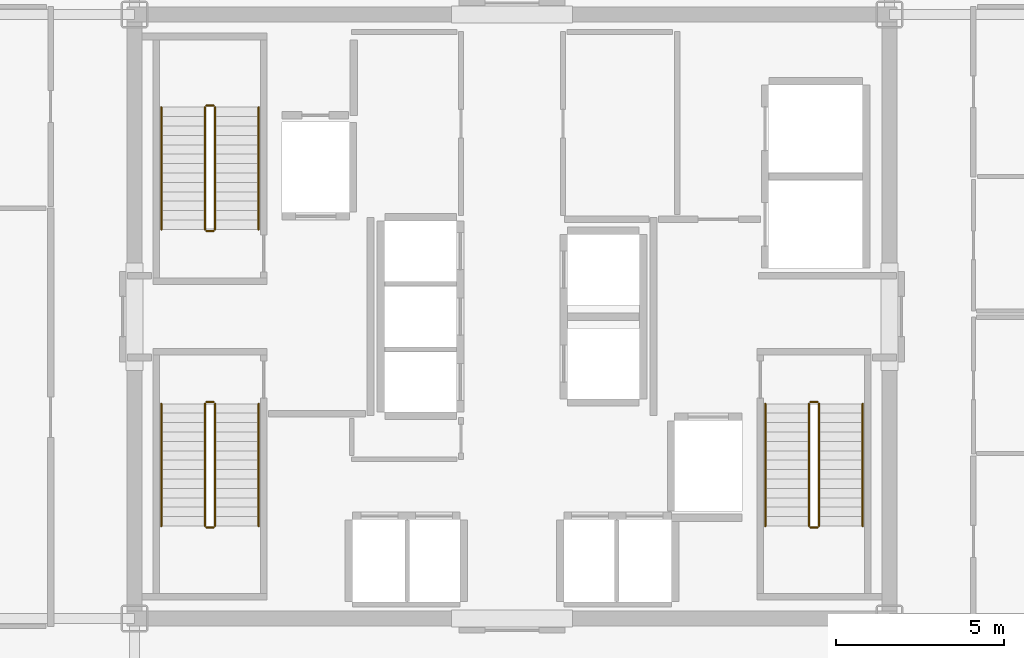
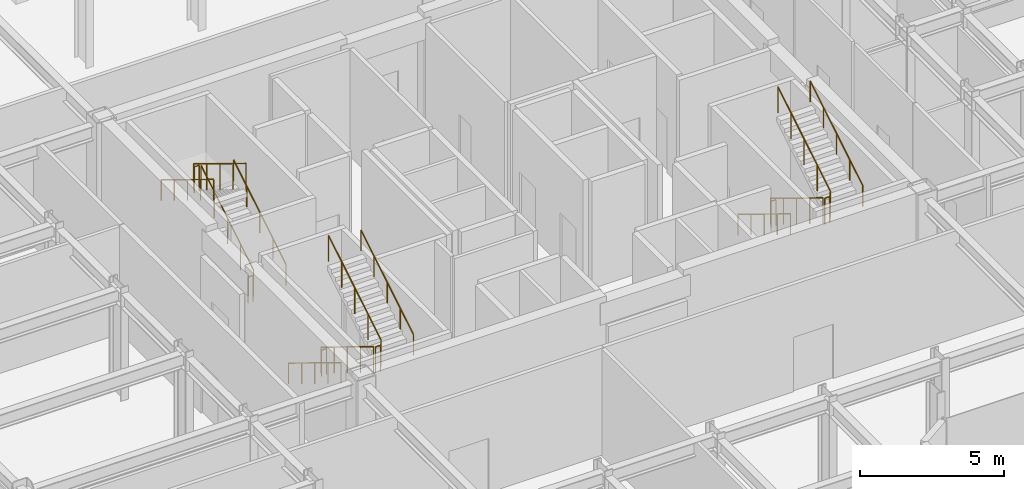
# One storey, part 19 of 20: 18 railings.
"""IFC4 building model written with IfcOpenShell, lengths in metres."""

from ifc_helpers import new_model, si_unit, direction, frame, origin, origin_2d, place, context, subcontext, project, spatial, circle, extrude, material, type_object, element, save


model = new_model("IFC4")

# Units and contexts
model_context = context("Model", 3, precision=1e-05, world=origin(), true_north=direction((0.0, 1.0)))
body_context = subcontext(model_context, "Body", "Model", "MODEL_VIEW")
ifc_project = project(units=[si_unit("LENGTHUNIT", "METRE"), si_unit("AREAUNIT", "SQUARE_METRE"), si_unit("VOLUMEUNIT", "CUBIC_METRE"), si_unit("PLANEANGLEUNIT", "RADIAN"), si_unit("MASSUNIT", "GRAM", prefix="KILO")], contexts=[model_context])

# Site, building, storey
site_placement = place(None, origin())
site = spatial("IfcSite", under=ifc_project, at=site_placement, CompositionType="ELEMENT")
building_placement = place(site_placement, origin())
building = spatial("IfcBuilding", under=site, at=building_placement, Name="Nefas-Gora Pilgrimage Tower", CompositionType="ELEMENT")
storey_placement = place(building_placement, frame((0.0, 0.0, 259.800048828125)))
storey = spatial("IfcBuildingStorey", under=building, at=storey_placement, Name="L65", CompositionType="ELEMENT", Elevation=259.800048828125)

# Railings
ifc_material_1 = material(Name="Painted galvanised steel", Category="steel")
railing_type_1 = type_object("IfcRailingType", Name="RLG-STR-GUARD-1100", PredefinedType="GUARDRAIL", material=ifc_material_1)
railing_1_placement = place(storey_placement, frame((-8.85009765625, 2.60009765625, 0.17138671875)))
element("IfcRailing", 1, at=railing_1_placement, inside=storey, type_object=railing_type_1, Name="L65 ST-01 stair guard 1", PredefinedType="GUARDRAIL", context=body_context, shape_type="SweptSolid", body=[
    extrude(circle(Radius=0.02392578125, at=origin_2d()), frame((0.0, 0.0, 1.09619140625), z_axis=(0.0, 0.852850264322, 0.5221555579), x_axis=(-1.0, 0.0, 0.0)), (0.0, 0.0, 1.0), 4.267822265625),
    extrude(circle(Radius=0.02099609375, at=origin_2d()), origin(), (0.0, 0.0, 1.0), 1.072021484375),
    extrude(circle(Radius=0.02099609375, at=origin_2d()), frame((0.0, 0.909912109375, 0.55712890625)), (0.0, 0.0, 1.0), 1.072021484375),
    extrude(circle(Radius=0.02099609375, at=origin_2d()), frame((0.0, 1.81982421875, 1.1142578125)), (0.0, 0.0, 1.0), 1.072021484375),
    extrude(circle(Radius=0.02099609375, at=origin_2d()), frame((0.0, 2.72998046875, 1.67138671875)), (0.0, 0.0, 1.0), 1.072021484375),
    extrude(circle(Radius=0.02099609375, at=origin_2d()), frame((0.0, 3.639892578125, 2.228515625)), (0.0, 0.0, 1.0), 1.072021484375),
])
railing_2_placement = place(storey_placement, frame((-8.89990234375, 6.2900390625, 2.39990234375)))
element("IfcRailing", 2, at=railing_2_placement, inside=storey, type_object=railing_type_1, Name="L65 ST-01 stair guard 2", PredefinedType="GUARDRAIL", context=body_context, shape_type="SweptSolid", body=[
    extrude(circle(Radius=0.02392578125, at=origin_2d()), frame((0.0, 0.0, 1.09619140625), z_axis=(-1.0, 0.0, 0.0), x_axis=(0.0, -1.0, 0.0)), (0.0, 0.0, 1.0), 0.2001953125),
    extrude(circle(Radius=0.02099609375, at=origin_2d()), origin(), (0.0, 0.0, 1.0), 1.072021484375),
    extrude(circle(Radius=0.02099609375, at=origin_2d()), frame((-0.2001953125, 0.0, 0.0)), (0.0, 0.0, 1.0), 1.072021484375),
])
railing_3_placement = place(storey_placement, frame((-9.14990234375, 6.239990234375, 2.5712890625)))
element("IfcRailing", 3, at=railing_3_placement, inside=storey, type_object=railing_type_1, Name="L65 ST-01 stair guard 3", PredefinedType="GUARDRAIL", context=body_context, shape_type="SweptSolid", body=[
    extrude(circle(Radius=0.02392578125, at=origin_2d()), frame((0.0, 0.0, 1.09619140625), z_axis=(0.0, -0.852824790078, 0.522197163366), x_axis=(1.0, 0.0, 0.0)), (0.0, 0.0, 1.0), 4.26806640625),
    extrude(circle(Radius=0.02099609375, at=origin_2d()), origin(), (0.0, 0.0, 1.0), 1.072021484375),
    extrude(circle(Radius=0.02099609375, at=origin_2d()), frame((0.0, -0.909912109375, 0.55712890625)), (0.0, 0.0, 1.0), 1.072021484375),
    extrude(circle(Radius=0.02099609375, at=origin_2d()), frame((0.0, -1.81982421875, 1.1142578125)), (0.0, 0.0, 1.0), 1.072021484375),
    extrude(circle(Radius=0.02099609375, at=origin_2d()), frame((0.0, -2.72998046875, 1.671630859375)), (0.0, 0.0, 1.0), 1.072021484375),
    extrude(circle(Radius=0.02099609375, at=origin_2d()), frame((0.0, -3.639892578125, 2.228759765625)), (0.0, 0.0, 1.0), 1.072021484375),
])
railing_4_placement = place(storey_placement, frame((-8.89990234375, 2.550048828125, 0.0)))
element("IfcRailing", 4, at=railing_4_placement, inside=storey, type_object=railing_type_1, Name="L65 ST-01 stair guard 4", PredefinedType="GUARDRAIL", context=body_context, shape_type="SweptSolid", body=[
    extrude(circle(Radius=0.02392578125, at=origin_2d()), frame((0.0, 0.0, 1.09619140625), z_axis=(-1.0, 0.0, 0.0), x_axis=(0.0, -1.0, 0.0)), (0.0, 0.0, 1.0), 0.2001953125),
    extrude(circle(Radius=0.02099609375, at=origin_2d()), origin(), (0.0, 0.0, 1.0), 1.072021484375),
    extrude(circle(Radius=0.02099609375, at=origin_2d()), frame((-0.2001953125, 0.0, 0.0)), (0.0, 0.0, 1.0), 1.072021484375),
])
railing_5_placement = place(storey_placement, frame((8.85009765625, -2.60009765625, 0.17138671875)))
element("IfcRailing", 5, at=railing_5_placement, inside=storey, type_object=railing_type_1, Name="L65 ST-02 stair guard 1", PredefinedType="GUARDRAIL", context=body_context, shape_type="SweptSolid", body=[
    extrude(circle(Radius=0.02392578125, at=origin_2d()), frame((0.0, 0.0, 1.09619140625), z_axis=(0.0, -0.852850264322, 0.5221555579), x_axis=(1.0, 0.0, 0.0)), (0.0, 0.0, 1.0), 4.267822265625),
    extrude(circle(Radius=0.02099609375, at=origin_2d()), origin(), (0.0, 0.0, 1.0), 1.072021484375),
    extrude(circle(Radius=0.02099609375, at=origin_2d()), frame((0.0, -0.909912109375, 0.55712890625)), (0.0, 0.0, 1.0), 1.072021484375),
    extrude(circle(Radius=0.02099609375, at=origin_2d()), frame((0.0, -1.81982421875, 1.1142578125)), (0.0, 0.0, 1.0), 1.072021484375),
    extrude(circle(Radius=0.02099609375, at=origin_2d()), frame((0.0, -2.72998046875, 1.67138671875)), (0.0, 0.0, 1.0), 1.072021484375),
    extrude(circle(Radius=0.02099609375, at=origin_2d()), frame((0.0, -3.639892578125, 2.228515625)), (0.0, 0.0, 1.0), 1.072021484375),
])
railing_6_placement = place(storey_placement, frame((8.89990234375, -6.2900390625, 2.39990234375)))
element("IfcRailing", 6, at=railing_6_placement, inside=storey, type_object=railing_type_1, Name="L65 ST-02 stair guard 2", PredefinedType="GUARDRAIL", context=body_context, shape_type="SweptSolid", body=[
    extrude(circle(Radius=0.02392578125, at=origin_2d()), frame((0.0, 0.0, 1.09619140625), z_axis=(1.0, 0.0, 0.0), x_axis=(0.0, 1.0, 0.0)), (0.0, 0.0, 1.0), 0.2001953125),
    extrude(circle(Radius=0.02099609375, at=origin_2d()), origin(), (0.0, 0.0, 1.0), 1.072021484375),
    extrude(circle(Radius=0.02099609375, at=origin_2d()), frame((0.2001953125, 0.0, 0.0)), (0.0, 0.0, 1.0), 1.072021484375),
])
railing_7_placement = place(storey_placement, frame((9.14990234375, -6.239990234375, 2.5712890625)))
element("IfcRailing", 7, at=railing_7_placement, inside=storey, type_object=railing_type_1, Name="L65 ST-02 stair guard 3", PredefinedType="GUARDRAIL", context=body_context, shape_type="SweptSolid", body=[
    extrude(circle(Radius=0.02392578125, at=origin_2d()), frame((0.0, 0.0, 1.09619140625), z_axis=(0.0, 0.852824790078, 0.522197163366), x_axis=(-1.0, 0.0, 0.0)), (0.0, 0.0, 1.0), 4.26806640625),
    extrude(circle(Radius=0.02099609375, at=origin_2d()), origin(), (0.0, 0.0, 1.0), 1.072021484375),
    extrude(circle(Radius=0.02099609375, at=origin_2d()), frame((0.0, 0.909912109375, 0.55712890625)), (0.0, 0.0, 1.0), 1.072021484375),
    extrude(circle(Radius=0.02099609375, at=origin_2d()), frame((0.0, 1.81982421875, 1.1142578125)), (0.0, 0.0, 1.0), 1.072021484375),
    extrude(circle(Radius=0.02099609375, at=origin_2d()), frame((0.0, 2.72998046875, 1.671630859375)), (0.0, 0.0, 1.0), 1.072021484375),
    extrude(circle(Radius=0.02099609375, at=origin_2d()), frame((0.0, 3.639892578125, 2.228759765625)), (0.0, 0.0, 1.0), 1.072021484375),
])
railing_8_placement = place(storey_placement, frame((8.89990234375, -2.550048828125, 0.0)))
element("IfcRailing", 8, at=railing_8_placement, inside=storey, type_object=railing_type_1, Name="L65 ST-02 stair guard 4", PredefinedType="GUARDRAIL", context=body_context, shape_type="SweptSolid", body=[
    extrude(circle(Radius=0.02392578125, at=origin_2d()), frame((0.0, 0.0, 1.09619140625), z_axis=(1.0, 0.0, 0.0), x_axis=(0.0, 1.0, 0.0)), (0.0, 0.0, 1.0), 0.2001953125),
    extrude(circle(Radius=0.02099609375, at=origin_2d()), origin(), (0.0, 0.0, 1.0), 1.072021484375),
    extrude(circle(Radius=0.02099609375, at=origin_2d()), frame((0.2001953125, 0.0, 0.0)), (0.0, 0.0, 1.0), 1.072021484375),
])
railing_9_placement = place(storey_placement, frame((-9.14990234375, -2.60009765625, 0.17138671875)))
element("IfcRailing", 9, at=railing_9_placement, inside=storey, type_object=railing_type_1, Name="L65 ST-03 stair guard 1", PredefinedType="GUARDRAIL", context=body_context, shape_type="SweptSolid", body=[
    extrude(circle(Radius=0.02392578125, at=origin_2d()), frame((0.0, 0.0, 1.09619140625), z_axis=(0.0, -0.852850264322, 0.5221555579), x_axis=(1.0, 0.0, 0.0)), (0.0, 0.0, 1.0), 4.267822265625),
    extrude(circle(Radius=0.02099609375, at=origin_2d()), origin(), (0.0, 0.0, 1.0), 1.072021484375),
    extrude(circle(Radius=0.02099609375, at=origin_2d()), frame((0.0, -0.909912109375, 0.55712890625)), (0.0, 0.0, 1.0), 1.072021484375),
    extrude(circle(Radius=0.02099609375, at=origin_2d()), frame((0.0, -1.81982421875, 1.1142578125)), (0.0, 0.0, 1.0), 1.072021484375),
    extrude(circle(Radius=0.02099609375, at=origin_2d()), frame((0.0, -2.72998046875, 1.67138671875)), (0.0, 0.0, 1.0), 1.072021484375),
    extrude(circle(Radius=0.02099609375, at=origin_2d()), frame((0.0, -3.639892578125, 2.228515625)), (0.0, 0.0, 1.0), 1.072021484375),
])
railing_10_placement = place(storey_placement, frame((-9.10009765625, -6.2900390625, 2.39990234375)))
element("IfcRailing", 10, at=railing_10_placement, inside=storey, type_object=railing_type_1, Name="L65 ST-03 stair guard 2", PredefinedType="GUARDRAIL", context=body_context, shape_type="SweptSolid", body=[
    extrude(circle(Radius=0.02392578125, at=origin_2d()), frame((0.0, 0.0, 1.09619140625), z_axis=(1.0, 0.0, 0.0), x_axis=(0.0, 1.0, 0.0)), (0.0, 0.0, 1.0), 0.2001953125),
    extrude(circle(Radius=0.02099609375, at=origin_2d()), origin(), (0.0, 0.0, 1.0), 1.072021484375),
    extrude(circle(Radius=0.02099609375, at=origin_2d()), frame((0.2001953125, 0.0, 0.0)), (0.0, 0.0, 1.0), 1.072021484375),
])
railing_11_placement = place(storey_placement, frame((-8.85009765625, -6.239990234375, 2.5712890625)))
element("IfcRailing", 11, at=railing_11_placement, inside=storey, type_object=railing_type_1, Name="L65 ST-03 stair guard 3", PredefinedType="GUARDRAIL", context=body_context, shape_type="SweptSolid", body=[
    extrude(circle(Radius=0.02392578125, at=origin_2d()), frame((0.0, 0.0, 1.09619140625), z_axis=(0.0, 0.852824790078, 0.522197163366), x_axis=(-1.0, 0.0, 0.0)), (0.0, 0.0, 1.0), 4.26806640625),
    extrude(circle(Radius=0.02099609375, at=origin_2d()), origin(), (0.0, 0.0, 1.0), 1.072021484375),
    extrude(circle(Radius=0.02099609375, at=origin_2d()), frame((0.0, 0.909912109375, 0.55712890625)), (0.0, 0.0, 1.0), 1.072021484375),
    extrude(circle(Radius=0.02099609375, at=origin_2d()), frame((0.0, 1.81982421875, 1.1142578125)), (0.0, 0.0, 1.0), 1.072021484375),
    extrude(circle(Radius=0.02099609375, at=origin_2d()), frame((0.0, 2.72998046875, 1.671630859375)), (0.0, 0.0, 1.0), 1.072021484375),
    extrude(circle(Radius=0.02099609375, at=origin_2d()), frame((0.0, 3.639892578125, 2.228759765625)), (0.0, 0.0, 1.0), 1.072021484375),
])
railing_12_placement = place(storey_placement, frame((-9.10009765625, -2.550048828125, 0.0)))
element("IfcRailing", 12, at=railing_12_placement, inside=storey, type_object=railing_type_1, Name="L65 ST-03 stair guard 4", PredefinedType="GUARDRAIL", context=body_context, shape_type="SweptSolid", body=[
    extrude(circle(Radius=0.02392578125, at=origin_2d()), frame((0.0, 0.0, 1.09619140625), z_axis=(1.0, 0.0, 0.0), x_axis=(0.0, 1.0, 0.0)), (0.0, 0.0, 1.0), 0.2001953125),
    extrude(circle(Radius=0.02099609375, at=origin_2d()), origin(), (0.0, 0.0, 1.0), 1.072021484375),
    extrude(circle(Radius=0.02099609375, at=origin_2d()), frame((0.2001953125, 0.0, 0.0)), (0.0, 0.0, 1.0), 1.072021484375),
])
ifc_material_2 = material(Name="Brushed stainless steel", Category="steel")
railing_type_2 = type_object("IfcRailingType", Name="RLG-STR-HAND-900", PredefinedType="HANDRAIL", material=ifc_material_2)
railing_13_placement = place(storey_placement, frame((-7.550048828125, 2.60009765625, 0.17138671875)))
element("IfcRailing", 13, at=railing_13_placement, inside=storey, type_object=railing_type_2, Name="L65 ST-01 stair handrail 1", PredefinedType="HANDRAIL", context=body_context, shape_type="SweptSolid", body=[
    extrude(circle(Radius=0.02392578125, at=origin_2d()), frame((0.0, 0.0, 0.8759765625), z_axis=(0.0, 0.852850264322, 0.5221555579), x_axis=(-1.0, 0.0, 0.0)), (0.0, 0.0, 1.0), 4.267822265625),
    extrude(circle(Radius=0.02099609375, at=origin_2d()), origin(), (0.0, 0.0, 1.0), 0.851806640625),
    extrude(circle(Radius=0.02099609375, at=origin_2d()), frame((0.0, 0.909912109375, 0.55712890625)), (0.0, 0.0, 1.0), 0.851806640625),
    extrude(circle(Radius=0.02099609375, at=origin_2d()), frame((0.0, 1.81982421875, 1.1142578125)), (0.0, 0.0, 1.0), 0.851806640625),
    extrude(circle(Radius=0.02099609375, at=origin_2d()), frame((0.0, 2.72998046875, 1.67138671875)), (0.0, 0.0, 1.0), 0.851806640625),
    extrude(circle(Radius=0.02099609375, at=origin_2d()), frame((0.0, 3.639892578125, 2.228515625)), (0.0, 0.0, 1.0), 0.851806640625),
])
railing_14_placement = place(storey_placement, frame((-10.449951171875, 6.239990234375, 2.5712890625)))
element("IfcRailing", 14, at=railing_14_placement, inside=storey, type_object=railing_type_2, Name="L65 ST-01 stair handrail 2", PredefinedType="HANDRAIL", context=body_context, shape_type="SweptSolid", body=[
    extrude(circle(Radius=0.02392578125, at=origin_2d()), frame((0.0, 0.0, 0.8759765625), z_axis=(0.0, -0.852824790078, 0.522197163366), x_axis=(1.0, 0.0, 0.0)), (0.0, 0.0, 1.0), 4.26806640625),
    extrude(circle(Radius=0.02099609375, at=origin_2d()), origin(), (0.0, 0.0, 1.0), 0.851806640625),
    extrude(circle(Radius=0.02099609375, at=origin_2d()), frame((0.0, -0.909912109375, 0.55712890625)), (0.0, 0.0, 1.0), 0.851806640625),
    extrude(circle(Radius=0.02099609375, at=origin_2d()), frame((0.0, -1.81982421875, 1.1142578125)), (0.0, 0.0, 1.0), 0.851806640625),
    extrude(circle(Radius=0.02099609375, at=origin_2d()), frame((0.0, -2.72998046875, 1.671630859375)), (0.0, 0.0, 1.0), 0.851806640625),
    extrude(circle(Radius=0.02099609375, at=origin_2d()), frame((0.0, -3.639892578125, 2.228759765625)), (0.0, 0.0, 1.0), 0.851806640625),
])
railing_15_placement = place(storey_placement, frame((7.550048828125, -2.60009765625, 0.17138671875)))
element("IfcRailing", 15, at=railing_15_placement, inside=storey, type_object=railing_type_2, Name="L65 ST-02 stair handrail 1", PredefinedType="HANDRAIL", context=body_context, shape_type="SweptSolid", body=[
    extrude(circle(Radius=0.02392578125, at=origin_2d()), frame((0.0, 0.0, 0.8759765625), z_axis=(0.0, -0.852850264322, 0.5221555579), x_axis=(1.0, 0.0, 0.0)), (0.0, 0.0, 1.0), 4.267822265625),
    extrude(circle(Radius=0.02099609375, at=origin_2d()), origin(), (0.0, 0.0, 1.0), 0.851806640625),
    extrude(circle(Radius=0.02099609375, at=origin_2d()), frame((0.0, -0.909912109375, 0.55712890625)), (0.0, 0.0, 1.0), 0.851806640625),
    extrude(circle(Radius=0.02099609375, at=origin_2d()), frame((0.0, -1.81982421875, 1.1142578125)), (0.0, 0.0, 1.0), 0.851806640625),
    extrude(circle(Radius=0.02099609375, at=origin_2d()), frame((0.0, -2.72998046875, 1.67138671875)), (0.0, 0.0, 1.0), 0.851806640625),
    extrude(circle(Radius=0.02099609375, at=origin_2d()), frame((0.0, -3.639892578125, 2.228515625)), (0.0, 0.0, 1.0), 0.851806640625),
])
railing_16_placement = place(storey_placement, frame((10.449951171875, -6.239990234375, 2.5712890625)))
element("IfcRailing", 16, at=railing_16_placement, inside=storey, type_object=railing_type_2, Name="L65 ST-02 stair handrail 2", PredefinedType="HANDRAIL", context=body_context, shape_type="SweptSolid", body=[
    extrude(circle(Radius=0.02392578125, at=origin_2d()), frame((0.0, 0.0, 0.8759765625), z_axis=(0.0, 0.852824790078, 0.522197163366), x_axis=(-1.0, 0.0, 0.0)), (0.0, 0.0, 1.0), 4.26806640625),
    extrude(circle(Radius=0.02099609375, at=origin_2d()), origin(), (0.0, 0.0, 1.0), 0.851806640625),
    extrude(circle(Radius=0.02099609375, at=origin_2d()), frame((0.0, 0.909912109375, 0.55712890625)), (0.0, 0.0, 1.0), 0.851806640625),
    extrude(circle(Radius=0.02099609375, at=origin_2d()), frame((0.0, 1.81982421875, 1.1142578125)), (0.0, 0.0, 1.0), 0.851806640625),
    extrude(circle(Radius=0.02099609375, at=origin_2d()), frame((0.0, 2.72998046875, 1.671630859375)), (0.0, 0.0, 1.0), 0.851806640625),
    extrude(circle(Radius=0.02099609375, at=origin_2d()), frame((0.0, 3.639892578125, 2.228759765625)), (0.0, 0.0, 1.0), 0.851806640625),
])
railing_17_placement = place(storey_placement, frame((-10.449951171875, -2.60009765625, 0.17138671875)))
element("IfcRailing", 17, at=railing_17_placement, inside=storey, type_object=railing_type_2, Name="L65 ST-03 stair handrail 1", PredefinedType="HANDRAIL", context=body_context, shape_type="SweptSolid", body=[
    extrude(circle(Radius=0.02392578125, at=origin_2d()), frame((0.0, 0.0, 0.8759765625), z_axis=(0.0, -0.852850264322, 0.5221555579), x_axis=(1.0, 0.0, 0.0)), (0.0, 0.0, 1.0), 4.267822265625),
    extrude(circle(Radius=0.02099609375, at=origin_2d()), origin(), (0.0, 0.0, 1.0), 0.851806640625),
    extrude(circle(Radius=0.02099609375, at=origin_2d()), frame((0.0, -0.909912109375, 0.55712890625)), (0.0, 0.0, 1.0), 0.851806640625),
    extrude(circle(Radius=0.02099609375, at=origin_2d()), frame((0.0, -1.81982421875, 1.1142578125)), (0.0, 0.0, 1.0), 0.851806640625),
    extrude(circle(Radius=0.02099609375, at=origin_2d()), frame((0.0, -2.72998046875, 1.67138671875)), (0.0, 0.0, 1.0), 0.851806640625),
    extrude(circle(Radius=0.02099609375, at=origin_2d()), frame((0.0, -3.639892578125, 2.228515625)), (0.0, 0.0, 1.0), 0.851806640625),
])
railing_18_placement = place(storey_placement, frame((-7.550048828125, -6.239990234375, 2.5712890625)))
element("IfcRailing", 18, at=railing_18_placement, inside=storey, type_object=railing_type_2, Name="L65 ST-03 stair handrail 2", PredefinedType="HANDRAIL", context=body_context, shape_type="SweptSolid", body=[
    extrude(circle(Radius=0.02392578125, at=origin_2d()), frame((0.0, 0.0, 0.8759765625), z_axis=(0.0, 0.852824790078, 0.522197163366), x_axis=(-1.0, 0.0, 0.0)), (0.0, 0.0, 1.0), 4.26806640625),
    extrude(circle(Radius=0.02099609375, at=origin_2d()), origin(), (0.0, 0.0, 1.0), 0.851806640625),
    extrude(circle(Radius=0.02099609375, at=origin_2d()), frame((0.0, 0.909912109375, 0.55712890625)), (0.0, 0.0, 1.0), 0.851806640625),
    extrude(circle(Radius=0.02099609375, at=origin_2d()), frame((0.0, 1.81982421875, 1.1142578125)), (0.0, 0.0, 1.0), 0.851806640625),
    extrude(circle(Radius=0.02099609375, at=origin_2d()), frame((0.0, 2.72998046875, 1.671630859375)), (0.0, 0.0, 1.0), 0.851806640625),
    extrude(circle(Radius=0.02099609375, at=origin_2d()), frame((0.0, 3.639892578125, 2.228759765625)), (0.0, 0.0, 1.0), 0.851806640625),
])

save(model, "model.ifc")
